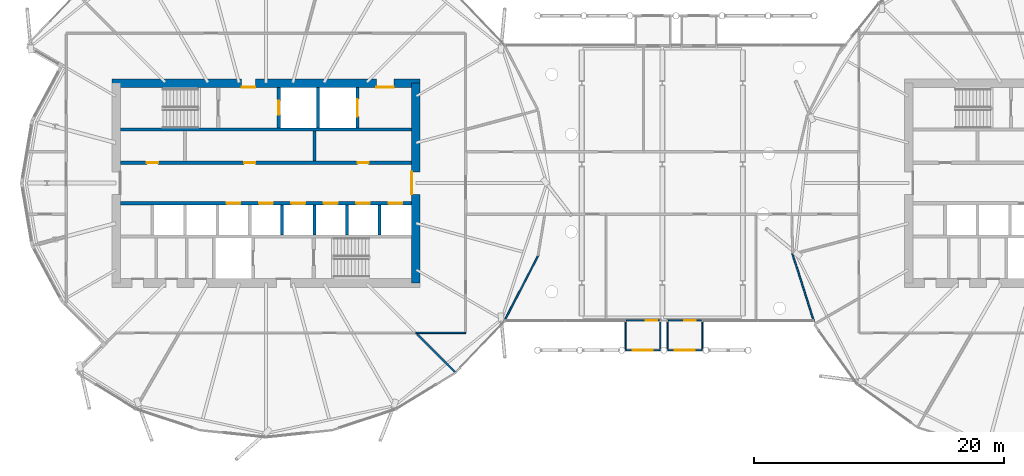
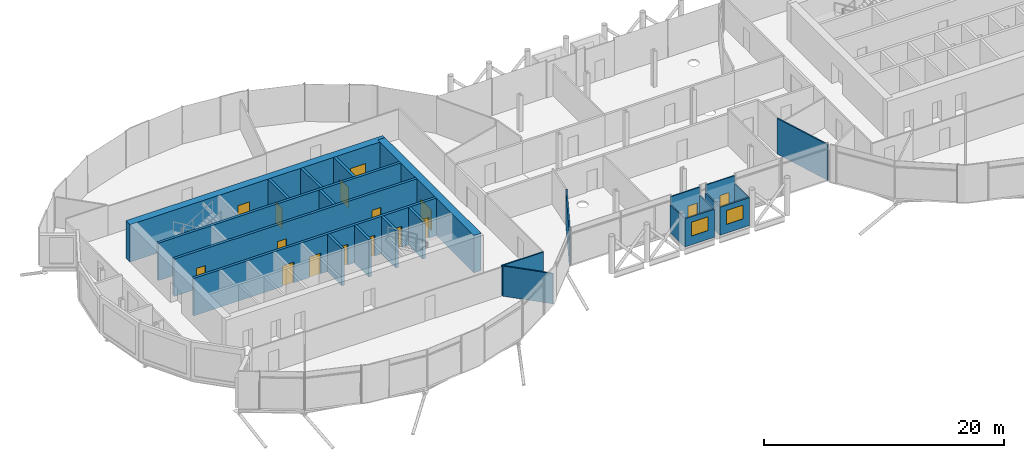
# One storey, part 24 of 39: 25 walls, 16 doors, 2 windows, 18 openings.
"""IFC4 building model written with IfcOpenShell, lengths in metres."""

from ifc_helpers import new_model, si_unit, direction, frame, frame_2d, origin, place, context, subcontext, project, spatial, rectangle, extrude, material, layer, layer_set, type_object, element, fill, save


model = new_model("IFC4")

# Units and contexts
model_context = context("Model", 3, precision=1e-05, world=origin(), true_north=direction((0.0, 1.0)))
body_context = subcontext(model_context, "Body", "Model", "MODEL_VIEW")
ifc_project = project(units=[si_unit("LENGTHUNIT", "METRE"), si_unit("AREAUNIT", "SQUARE_METRE"), si_unit("VOLUMEUNIT", "CUBIC_METRE"), si_unit("PLANEANGLEUNIT", "RADIAN"), si_unit("MASSUNIT", "GRAM", prefix="KILO")], contexts=[model_context])

# Site, building, storey
site_placement = place(None, origin())
site = spatial("IfcSite", under=ifc_project, at=site_placement, CompositionType="ELEMENT")
building_placement = place(site_placement, origin())
building = spatial("IfcBuilding", under=site, at=building_placement, Name="Rimbun Link Towers", CompositionType="ELEMENT")
storey_placement = place(building_placement, frame((0.0, 0.0, 139.199951171875)))
storey = spatial("IfcBuildingStorey", under=building, at=storey_placement, Name="L33", CompositionType="ELEMENT", Elevation=139.199951171875)

# Wall
ifc_material_1 = material(Name="Terracotta-faced insulated sandwich panel", Category="masonry")
ifc_layer_1 = layer(ifc_material_1, 0.10009765625)
ifc_layer_set_1 = layer_set([ifc_layer_1], Name="CAPSULE shell panel 100")
wall_type_1 = type_object("IfcWallType", Name="CAPSULE shell panel 100", PredefinedType="STANDARD", material=ifc_layer_set_1)
wall_1_placement = place(storey_placement, frame((-2.95556640625, -11.0, -0.06005859375), z_axis=(0.0, 0.0, 1.0), x_axis=(0.0, -1.0, 0.0)))
element("IfcWall", 1, at=wall_1_placement, inside=storey, type_object=wall_type_1, Name="CAPSULE F33.11 shell panel 1", PredefinedType="STANDARD", context=body_context, shape_type="SweptSolid", body=[
    extrude(rectangle(XDim=2.39990234375, YDim=0.10009765625, at=frame_2d((1.199951171875, 0.0))), origin(), (0.0, 0.0, 1.0), 2.85009765625),
])

# Wall, opening, window
wall_2_placement = place(storey_placement, frame((-2.95556640625, -13.39990234375, -0.06005859375), z_axis=(0.0, 0.0, 1.0), x_axis=(1.0, 0.0, 0.0)))
wall_2 = element("IfcWall", 2, at=wall_2_placement, inside=storey, type_object=wall_type_1, Name="CAPSULE F33.11 shell panel 2", PredefinedType="STANDARD", context=body_context, shape_type="SweptSolid", body=[
    extrude(rectangle(XDim=2.7998046875, YDim=0.10009765625, at=frame_2d((1.39990234375, 0.0))), origin(), (0.0, 0.0, 1.0), 2.85009765625),
])
opening_1_placement = place(wall_2_placement, frame((0.60009765625, 0.0, 0.89990234375)))
opening_1 = element("IfcOpeningElement", 3, at=opening_1_placement, cuts=wall_2, Name="Opening CN33.11", PredefinedType="OPENING", context=body_context, shape_type="SweptSolid", body=[
    extrude(rectangle(XDim=1.60009765625, YDim=1.39990234375, at=frame_2d((0.800048828125, 0.699951171875))), frame((0.0, 0.06005859375, 0.0), z_axis=(0.0, -1.0, 0.0), x_axis=(1.0, 0.0, 0.0)), (0.0, 0.0, 1.0), 0.1201171875),
])
ifc_material_2 = material(Name="Aluminium framed window, low-iron glass", Category="aluminium")
window_type = type_object("IfcWindowType", Name="CAPSULE window 1600X1400", PartitioningType="SINGLE_PANEL", PredefinedType="WINDOW", material=ifc_material_2)
window_1_placement = place(opening_1_placement, origin())
window_1 = element("IfcWindow", 4, at=window_1_placement, inside=storey, type_object=window_type, Name="CAPSULE F33.11 window", OverallHeight=1.39990234375, OverallWidth=1.60009765625, PartitioningType="SINGLE_PANEL", PredefinedType="WINDOW", context=body_context, shape_type="SweptSolid", body=[
    extrude(rectangle(XDim=1.60009765625, YDim=1.39990234375, at=frame_2d((0.800048828125, 0.699951171875))), frame((0.0, 0.030029296875, 0.0), z_axis=(0.0, -1.0, 0.0), x_axis=(1.0, 0.0, 0.0)), (0.0, 0.0, 1.0), 0.06005859375),
])
fill(opening_1, window_1)

# Wall
wall_3_placement = place(storey_placement, frame((-0.15576171875, -13.39990234375, -0.06005859375), z_axis=(0.0, 0.0, 1.0), x_axis=(0.0, 1.0, 0.0)))
element("IfcWall", 5, at=wall_3_placement, inside=storey, type_object=wall_type_1, Name="CAPSULE F33.11 shell panel 3", PredefinedType="STANDARD", context=body_context, shape_type="SweptSolid", body=[
    extrude(rectangle(XDim=2.39990234375, YDim=0.10009765625, at=frame_2d((1.199951171875, 0.0))), origin(), (0.0, 0.0, 1.0), 2.85009765625),
])

# Wall, opening, door
wall_4_placement = place(storey_placement, frame((-0.15576171875, -11.0, -0.06005859375), z_axis=(0.0, 0.0, 1.0), x_axis=(-1.0, 0.0, 0.0)))
wall_4 = element("IfcWall", 6, at=wall_4_placement, inside=storey, type_object=wall_type_1, Name="CAPSULE F33.11 shell panel 4", PredefinedType="STANDARD", context=body_context, shape_type="SweptSolid", body=[
    extrude(rectangle(XDim=2.7998046875, YDim=0.10009765625, at=frame_2d((1.39990234375, 0.0))), origin(), (0.0, 0.0, 1.0), 3.64013671875),
])
opening_2_placement = place(wall_4_placement, frame((0.25, 0.0, 0.0)))
opening_2 = element("IfcOpeningElement", 7, at=opening_2_placement, cuts=wall_4, Name="Opening CD33.11", PredefinedType="OPENING", context=body_context, shape_type="SweptSolid", body=[
    extrude(rectangle(XDim=0.89990234375, YDim=2.10009765625, at=frame_2d((0.449951171875, 1.050048828125))), frame((0.0, 0.06005859375, 0.0), z_axis=(0.0, -1.0, 0.0), x_axis=(1.0, 0.0, 0.0)), (0.0, 0.0, 1.0), 0.1201171875),
])
ifc_material_3 = material(Name="Aluminium framed insulated door leaf", Category="aluminium")
door_type_1 = type_object("IfcDoorType", Name="CAPSULE door single leaf 900X2100", OperationType="SINGLE_SWING_LEFT", PredefinedType="DOOR", material=ifc_material_3)
door_1_placement = place(opening_2_placement, origin())
door_1 = element("IfcDoor", 8, at=door_1_placement, inside=storey, type_object=door_type_1, Name="CAPSULE F33.11 door", OperationType="SINGLE_SWING_RIGHT", OverallHeight=2.10009765625, OverallWidth=0.89990234375, PredefinedType="DOOR", context=body_context, shape_type="SweptSolid", body=[
    extrude(rectangle(XDim=0.89990234375, YDim=2.10009765625, at=frame_2d((0.449951171875, 1.050048828125))), frame((0.0, 0.02490234375, 0.0), z_axis=(0.0, -1.0, 0.0), x_axis=(1.0, 0.0, 0.0)), (0.0, 0.0, 1.0), 0.050048828125),
])
fill(opening_2, door_1)

# Wall
wall_5_placement = place(storey_placement, frame((0.413330078125, -11.0, -0.06005859375), z_axis=(0.0, 0.0, 1.0), x_axis=(0.0, -1.0, 0.0)))
element("IfcWall", 9, at=wall_5_placement, inside=storey, type_object=wall_type_1, Name="CAPSULE F33.12 shell panel 1", PredefinedType="STANDARD", context=body_context, shape_type="SweptSolid", body=[
    extrude(rectangle(XDim=2.39990234375, YDim=0.10009765625, at=frame_2d((1.199951171875, 0.0))), origin(), (0.0, 0.0, 1.0), 2.85009765625),
])

# Wall, opening, window
wall_6_placement = place(storey_placement, frame((0.413330078125, -13.39990234375, -0.06005859375), z_axis=(0.0, 0.0, 1.0), x_axis=(1.0, 0.0, 0.0)))
wall_6 = element("IfcWall", 10, at=wall_6_placement, inside=storey, type_object=wall_type_1, Name="CAPSULE F33.12 shell panel 2", PredefinedType="STANDARD", context=body_context, shape_type="SweptSolid", body=[
    extrude(rectangle(XDim=2.800048828125, YDim=0.10009765625, at=frame_2d((1.39990234375, 0.0))), origin(), (0.0, 0.0, 1.0), 2.85009765625),
])
opening_3_placement = place(wall_6_placement, frame((0.60009765625, 0.0, 0.89990234375)))
opening_3 = element("IfcOpeningElement", 11, at=opening_3_placement, cuts=wall_6, Name="Opening CN33.12", PredefinedType="OPENING", context=body_context, shape_type="SweptSolid", body=[
    extrude(rectangle(XDim=1.60009765625, YDim=1.39990234375, at=frame_2d((0.800048828125, 0.699951171875))), frame((0.0, 0.06005859375, 0.0), z_axis=(0.0, -1.0, 0.0), x_axis=(1.0, 0.0, 0.0)), (0.0, 0.0, 1.0), 0.1201171875),
])
window_2_placement = place(opening_3_placement, origin())
window_2 = element("IfcWindow", 12, at=window_2_placement, inside=storey, type_object=window_type, Name="CAPSULE F33.12 window", OverallHeight=1.39990234375, OverallWidth=1.60009765625, PartitioningType="SINGLE_PANEL", PredefinedType="WINDOW", context=body_context, shape_type="SweptSolid", body=[
    extrude(rectangle(XDim=1.60009765625, YDim=1.39990234375, at=frame_2d((0.800048828125, 0.699951171875))), frame((0.0, 0.030029296875, 0.0), z_axis=(0.0, -1.0, 0.0), x_axis=(1.0, 0.0, 0.0)), (0.0, 0.0, 1.0), 0.06005859375),
])
fill(opening_3, window_2)

# Wall
wall_7_placement = place(storey_placement, frame((3.21337890625, -13.39990234375, -0.06005859375), z_axis=(0.0, 0.0, 1.0), x_axis=(0.0, 1.0, 0.0)))
element("IfcWall", 13, at=wall_7_placement, inside=storey, type_object=wall_type_1, Name="CAPSULE F33.12 shell panel 3", PredefinedType="STANDARD", context=body_context, shape_type="SweptSolid", body=[
    extrude(rectangle(XDim=2.39990234375, YDim=0.10009765625, at=frame_2d((1.199951171875, 0.0))), origin(), (0.0, 0.0, 1.0), 2.85009765625),
])

# Wall, opening, door
wall_8_placement = place(storey_placement, frame((3.21337890625, -11.0, -0.06005859375), z_axis=(0.0, 0.0, 1.0), x_axis=(-1.0, 0.0, 0.0)))
wall_8 = element("IfcWall", 14, at=wall_8_placement, inside=storey, type_object=wall_type_1, Name="CAPSULE F33.12 shell panel 4", PredefinedType="STANDARD", context=body_context, shape_type="SweptSolid", body=[
    extrude(rectangle(XDim=2.800048828125, YDim=0.10009765625, at=frame_2d((1.39990234375, 0.0))), origin(), (0.0, 0.0, 1.0), 3.64013671875),
])
opening_4_placement = place(wall_8_placement, frame((0.550048828125, 0.0, 0.0)))
opening_4 = element("IfcOpeningElement", 15, at=opening_4_placement, cuts=wall_8, Name="Opening CD33.12", PredefinedType="OPENING", context=body_context, shape_type="SweptSolid", body=[
    extrude(rectangle(XDim=0.89990234375, YDim=2.10009765625, at=frame_2d((0.449951171875, 1.050048828125))), frame((0.0, 0.06005859375, 0.0), z_axis=(0.0, -1.0, 0.0), x_axis=(1.0, 0.0, 0.0)), (0.0, 0.0, 1.0), 0.1201171875),
])
door_2_placement = place(opening_4_placement, origin())
door_2 = element("IfcDoor", 16, at=door_2_placement, inside=storey, type_object=door_type_1, Name="CAPSULE F33.12 door", OperationType="SINGLE_SWING_LEFT", OverallHeight=2.10009765625, OverallWidth=0.89990234375, PredefinedType="DOOR", context=body_context, shape_type="SweptSolid", body=[
    extrude(rectangle(XDim=0.89990234375, YDim=2.10009765625, at=frame_2d((0.449951171875, 1.050048828125))), frame((0.0, 0.02490234375, 0.0), z_axis=(0.0, -1.0, 0.0), x_axis=(1.0, 0.0, 0.0)), (0.0, 0.0, 1.0), 0.050048828125),
])
fill(opening_4, door_2)

# Wall, openings, doors
ifc_material_4 = material(Name="Concrete C60/75", Category="concrete")
ifc_layer_2 = layer(ifc_material_4, 0.699951171875)
ifc_layer_set_2 = layer_set([ifc_layer_2], Name="Core shear wall 700")
wall_type_2 = type_object("IfcWallType", Name="Core shear wall 700", PredefinedType="SHEAR", material=ifc_layer_set_2)
wall_9_placement = place(storey_placement, frame((-44.10009765625, 8.0, 0.0), z_axis=(0.0, 0.0, 1.0), x_axis=(1.0, 0.0, 0.0)))
wall_9 = element("IfcWall", 17, at=wall_9_placement, inside=storey, type_object=wall_type_2, Name="L33 T1 core wall N", PredefinedType="SHEAR", context=body_context, shape_type="SweptSolid", body=[
    extrude(rectangle(XDim=24.7001953125, YDim=0.699951171875, at=frame_2d((12.35009765625, 0.0))), origin(), (0.0, 0.0, 1.0), 3.800048828125),
])
opening_5_placement = place(wall_9_placement, frame((10.39990234375, 0.0, 0.0)))
opening_5 = element("IfcOpeningElement", 18, at=opening_5_placement, cuts=wall_9, Name="Opening C1DCF01N", PredefinedType="OPENING", context=body_context, shape_type="SweptSolid", body=[
    extrude(rectangle(XDim=1.10009765625, YDim=2.10009765625, at=frame_2d((0.550048828125, 1.050048828125))), frame((0.0, 0.35986328125, 0.0), z_axis=(0.0, -1.0, 0.0), x_axis=(1.0, 0.0, 0.0)), (0.0, 0.0, 1.0), 0.719970703125),
])
opening_6_placement = place(wall_9_placement, frame((21.199951171875, 0.0, 0.0)))
opening_6 = element("IfcOpeningElement", 19, at=opening_6_placement, cuts=wall_9, Name="Opening C1DSL02N", PredefinedType="OPENING", context=body_context, shape_type="SweptSolid", body=[
    extrude(rectangle(XDim=1.39990234375, YDim=2.10009765625, at=frame_2d((0.699951171875, 1.050048828125))), frame((0.0, 0.35986328125, 0.0), z_axis=(0.0, -1.0, 0.0), x_axis=(1.0, 0.0, 0.0)), (0.0, 0.0, 1.0), 0.719970703125),
])
ifc_material_5 = material(Name="Steel fire door set", Category="steel")
door_type_2 = type_object("IfcDoorType", Name="Core fire door single", OperationType="SINGLE_SWING_LEFT", PredefinedType="DOOR", material=ifc_material_5)
door_3_placement = place(opening_5_placement, origin())
door_3 = element("IfcDoor", 20, at=door_3_placement, inside=storey, type_object=door_type_2, Name="L33 T1 firefighting lobby n door", OperationType="SINGLE_SWING_RIGHT", OverallHeight=2.10009765625, OverallWidth=1.10009765625, PredefinedType="DOOR", context=body_context, shape_type="SweptSolid", body=[
    extrude(rectangle(XDim=1.10009765625, YDim=2.10009765625, at=frame_2d((0.550048828125, 1.050048828125))), frame((0.0, -0.2998046875, 0.0), z_axis=(0.0, -1.0, 0.0), x_axis=(1.0, 0.0, 0.0)), (0.0, 0.0, 1.0), 0.050048828125),
])
fill(opening_5, door_3)
ifc_material_6 = material(Name="Steel fire door set", Category="steel")
door_type_3 = type_object("IfcDoorType", Name="Service lobby door double", OperationType="DOUBLE_DOOR_SINGLE_SWING", PredefinedType="DOOR", material=ifc_material_6)
door_4_placement = place(opening_6_placement, origin())
door_4 = element("IfcDoor", 21, at=door_4_placement, inside=storey, type_object=door_type_3, Name="L33 T1 service lobby door", OperationType="DOUBLE_DOOR_SINGLE_SWING", OverallHeight=2.10009765625, OverallWidth=1.39990234375, PredefinedType="DOOR", context=body_context, shape_type="SweptSolid", body=[
    extrude(rectangle(XDim=1.39990234375, YDim=2.10009765625, at=frame_2d((0.699951171875, 1.050048828125))), frame((0.0, -0.2998046875, 0.0), z_axis=(0.0, -1.0, 0.0), x_axis=(1.0, 0.0, 0.0)), (0.0, 0.0, 1.0), 0.050048828125),
])
fill(opening_6, door_4)

# Wall, opening, door
wall_10_placement = place(storey_placement, frame((-19.75, -8.0, 0.0), z_axis=(0.0, 0.0, 1.0), x_axis=(0.0, 1.0, 0.0)))
wall_10 = element("IfcWall", 22, at=wall_10_placement, inside=storey, type_object=wall_type_2, Name="L33 T1 core wall E", PredefinedType="SHEAR", context=body_context, shape_type="SweptSolid", body=[
    extrude(rectangle(XDim=16.0, YDim=0.699951171875, at=frame_2d((8.0, 0.0))), origin(), (0.0, 0.0, 1.0), 3.800048828125),
])
opening_7_placement = place(wall_10_placement, frame((7.10009765625, 0.0, 0.0)))
opening_7 = element("IfcOpeningElement", 23, at=opening_7_placement, cuts=wall_10, Name="Opening C1DCL01E", PredefinedType="OPENING", context=body_context, shape_type="SweptSolid", body=[
    extrude(rectangle(XDim=1.800048828125, YDim=2.10009765625, at=frame_2d((0.89990234375, 1.050048828125))), frame((0.0, 0.35986328125, 0.0), z_axis=(0.0, -1.0, 0.0), x_axis=(1.0, 0.0, 0.0)), (0.0, 0.0, 1.0), 0.719970703125),
])
ifc_material_7 = material(Name="Steel fire door set", Category="steel")
door_type_4 = type_object("IfcDoorType", Name="Core lobby door double", OperationType="DOUBLE_DOOR_SINGLE_SWING", PredefinedType="DOOR", material=ifc_material_7)
door_5_placement = place(opening_7_placement, origin())
door_5 = element("IfcDoor", 24, at=door_5_placement, inside=storey, type_object=door_type_4, Name="L33 T1 lift lobby door", OperationType="DOUBLE_DOOR_SINGLE_SWING", OverallHeight=2.10009765625, OverallWidth=1.800048828125, PredefinedType="DOOR", context=body_context, shape_type="SweptSolid", body=[
    extrude(rectangle(XDim=1.800048828125, YDim=2.10009765625, at=frame_2d((0.89990234375, 1.050048828125))), frame((0.0, 0.35009765625, 0.0), z_axis=(0.0, -1.0, 0.0), x_axis=(1.0, 0.0, 0.0)), (0.0, 0.0, 1.0), 0.050048828125),
])
fill(opening_7, door_5)

# Walls
ifc_material_8 = material(Name="Gypsum board on steel studs", Category="steel")
ifc_layer_3 = layer(ifc_material_8, 0.125)
ifc_layer_set_3 = layer_set([ifc_layer_3], Name="Partition 125 board on studs")
wall_type_3 = type_object("IfcWallType", Name="Partition 125 board on studs", PredefinedType="PARTITIONING", material=ifc_layer_set_3)
wall_11_placement = place(storey_placement, frame((-19.75, -12.0, 0.0), z_axis=(0.0, 0.0, 1.0), x_axis=(1.0, 0.0, 0.0)))
element("IfcWall", 25, at=wall_11_placement, inside=storey, type_object=wall_type_3, Name="TW/PW/L33/013", PredefinedType="PARTITIONING", context=body_context, shape_type="SweptSolid", body=[
    extrude(rectangle(XDim=4.0, YDim=0.125, at=frame_2d((2.0, 0.0))), origin(), (0.0, 0.0, 1.0), 3.067138671875),
])
wall_12_placement = place(storey_placement, frame((-16.595703125, -15.154296875, 0.0), z_axis=(0.0, 0.0, 1.0), x_axis=(-0.707106781187, 0.707106781187, 0.0)))
element("IfcWall", 26, at=wall_12_placement, inside=storey, type_object=wall_type_3, Name="TW/PW/L33/027", PredefinedType="PARTITIONING", context=body_context, shape_type="SweptSolid", body=[
    extrude(rectangle(XDim=4.31005859375, YDim=0.125, at=frame_2d((2.155029296875, 0.0))), origin(), (0.0, 0.0, 1.0), 3.067138671875),
])
wall_13_placement = place(storey_placement, frame((-12.663818359375, -11.071044921875, 0.0), z_axis=(0.0, 0.0, 1.0), x_axis=(0.459568637938, 0.888142256074, 0.0)))
element("IfcWall", 27, at=wall_13_placement, inside=storey, type_object=wall_type_3, Name="TW/PW/L33/030", PredefinedType="PARTITIONING", context=body_context, shape_type="SweptSolid", body=[
    extrude(rectangle(XDim=5.970703125, YDim=0.125, at=frame_2d((2.9853515625, 0.0))), origin(), (0.0, 0.0, 1.0), 3.6201171875),
])
wall_14_placement = place(storey_placement, frame((10.414794921875, -5.634033203125, 0.0), z_axis=(0.0, 0.0, 1.0), x_axis=(0.303064250976, -0.952970125335, 0.0)))
element("IfcWall", 28, at=wall_14_placement, inside=storey, type_object=wall_type_3, Name="TW/PW/L33/053", PredefinedType="PARTITIONING", context=body_context, shape_type="SweptSolid", body=[
    extrude(rectangle(XDim=5.710693359375, YDim=0.125, at=frame_2d((2.85546875, 0.0))), origin(), (0.0, 0.0, 1.0), 3.6201171875),
])
ifc_material_9 = material(Name="Concrete C60/75", Category="concrete")
ifc_layer_4 = layer(ifc_material_9, 0.25)
ifc_layer_set_4 = layer_set([ifc_layer_4], Name="Shaft wall 250")
wall_type_4 = type_object("IfcWallType", Name="Shaft wall 250", PredefinedType="SHEAR", material=ifc_layer_set_4)
wall_15_placement = place(storey_placement, frame((-43.39990234375, 4.27490234375, 0.0), z_axis=(0.0, 0.0, 1.0), x_axis=(1.0, 0.0, 0.0)))
element("IfcWall", 29, at=wall_15_placement, inside=storey, type_object=wall_type_4, Name="L33 T1 core wall BN", PredefinedType="SHEAR", context=body_context, shape_type="SweptSolid", body=[
    extrude(rectangle(XDim=23.2998046875, YDim=0.25, at=frame_2d((11.64990234375, 0.0))), origin(), (0.0, 0.0, 1.0), 3.800048828125),
])

# Wall, openings, doors
wall_16_placement = place(storey_placement, frame((-43.39990234375, 1.625, 0.0), z_axis=(0.0, 0.0, 1.0), x_axis=(1.0, 0.0, 0.0)))
wall_16 = element("IfcWall", 30, at=wall_16_placement, inside=storey, type_object=wall_type_4, Name="L33 T1 core wall FN", PredefinedType="SHEAR", context=body_context, shape_type="SweptSolid", body=[
    extrude(rectangle(XDim=23.2998046875, YDim=0.25, at=frame_2d((11.64990234375, 0.0))), origin(), (0.0, 0.0, 1.0), 3.800048828125),
])
opening_8_placement = place(wall_16_placement, frame((2.119384765625, 0.0, 0.0)))
opening_8 = element("IfcOpeningElement", 31, at=opening_8_placement, cuts=wall_16, Name="Opening C1DRS01FN", PredefinedType="OPENING", context=body_context, shape_type="SweptSolid", body=[
    extrude(rectangle(XDim=0.89990234375, YDim=2.10009765625, at=frame_2d((0.449951171875, 1.050048828125))), frame((0.0, 0.135009765625, 0.0), z_axis=(0.0, -1.0, 0.0), x_axis=(1.0, 0.0, 0.0)), (0.0, 0.0, 1.0), 0.27001953125),
])
opening_9_placement = place(wall_16_placement, frame((9.90283203125, 0.0, 0.0)))
opening_9 = element("IfcOpeningElement", 32, at=opening_9_placement, cuts=wall_16, Name="Opening C1DRS02FN", PredefinedType="OPENING", context=body_context, shape_type="SweptSolid", body=[
    extrude(rectangle(XDim=0.89990234375, YDim=2.10009765625, at=frame_2d((0.449951171875, 1.050048828125))), frame((0.0, 0.135009765625, 0.0), z_axis=(0.0, -1.0, 0.0), x_axis=(1.0, 0.0, 0.0)), (0.0, 0.0, 1.0), 0.27001953125),
])
opening_10_placement = place(wall_16_placement, frame((18.9833984375, 0.0, 0.0)))
opening_10 = element("IfcOpeningElement", 33, at=opening_10_placement, cuts=wall_16, Name="Opening C1DRS03FN", PredefinedType="OPENING", context=body_context, shape_type="SweptSolid", body=[
    extrude(rectangle(XDim=0.89990234375, YDim=2.10009765625, at=frame_2d((0.449951171875, 1.050048828125))), frame((0.0, 0.135009765625, 0.0), z_axis=(0.0, -1.0, 0.0), x_axis=(1.0, 0.0, 0.0)), (0.0, 0.0, 1.0), 0.27001953125),
])
ifc_material_10 = material(Name="Steel fire door set", Category="steel")
door_type_5 = type_object("IfcDoorType", Name="Core riser door", OperationType="SINGLE_SWING_LEFT", PredefinedType="DOOR", material=ifc_material_10)
door_6_placement = place(opening_8_placement, origin())
door_6 = element("IfcDoor", 34, at=door_6_placement, inside=storey, type_object=door_type_5, Name="L33 T1 print room door", OperationType="SINGLE_SWING_LEFT", OverallHeight=2.10009765625, OverallWidth=0.89990234375, PredefinedType="DOOR", context=body_context, shape_type="SweptSolid", body=[
    extrude(rectangle(XDim=0.89990234375, YDim=2.10009765625, at=frame_2d((0.449951171875, 1.050048828125))), frame((0.0, 0.02490234375, 0.0), z_axis=(0.0, -1.0, 0.0), x_axis=(1.0, 0.0, 0.0)), (0.0, 0.0, 1.0), 0.050048828125),
])
fill(opening_8, door_6)
door_7_placement = place(opening_9_placement, origin())
door_7 = element("IfcDoor", 35, at=door_7_placement, inside=storey, type_object=door_type_5, Name="L33 T1 services room door", OperationType="SINGLE_SWING_LEFT", OverallHeight=2.10009765625, OverallWidth=0.89990234375, PredefinedType="DOOR", context=body_context, shape_type="SweptSolid", body=[
    extrude(rectangle(XDim=0.89990234375, YDim=2.10009765625, at=frame_2d((0.449951171875, 1.050048828125))), frame((0.0, 0.02490234375, 0.0), z_axis=(0.0, -1.0, 0.0), x_axis=(1.0, 0.0, 0.0)), (0.0, 0.0, 1.0), 0.050048828125),
])
fill(opening_9, door_7)
door_8_placement = place(opening_10_placement, origin())
door_8 = element("IfcDoor", 36, at=door_8_placement, inside=storey, type_object=door_type_5, Name="L33 T1 records store door", OperationType="SINGLE_SWING_RIGHT", OverallHeight=2.10009765625, OverallWidth=0.89990234375, PredefinedType="DOOR", context=body_context, shape_type="SweptSolid", body=[
    extrude(rectangle(XDim=0.89990234375, YDim=2.10009765625, at=frame_2d((0.449951171875, 1.050048828125))), frame((0.0, 0.02490234375, 0.0), z_axis=(0.0, -1.0, 0.0), x_axis=(1.0, 0.0, 0.0)), (0.0, 0.0, 1.0), 0.050048828125),
])
fill(opening_10, door_8)

wall_17_placement = place(storey_placement, frame((-43.39990234375, -1.625, 0.0), z_axis=(0.0, 0.0, 1.0), x_axis=(1.0, 0.0, 0.0)))
wall_17 = element("IfcWall", 37, at=wall_17_placement, inside=storey, type_object=wall_type_4, Name="L33 T1 core wall FS", PredefinedType="SHEAR", context=body_context, shape_type="SweptSolid", body=[
    extrude(rectangle(XDim=23.2998046875, YDim=0.25, at=frame_2d((11.64990234375, 0.0))), origin(), (0.0, 0.0, 1.0), 3.800048828125),
])
opening_11_placement = place(wall_17_placement, frame((8.505615234375, 0.0, 0.0)))
opening_11 = element("IfcOpeningElement", 38, at=opening_11_placement, cuts=wall_17, Name="Opening LD-T1-HR1", PredefinedType="OPENING", context=body_context, shape_type="SweptSolid", body=[
    extrude(rectangle(XDim=1.10009765625, YDim=2.10009765625, at=frame_2d((0.550048828125, 1.050048828125))), frame((0.0, 0.135009765625, 0.0), z_axis=(0.0, -1.0, 0.0), x_axis=(1.0, 0.0, 0.0)), (0.0, 0.0, 1.0), 0.27001953125),
])
opening_12_placement = place(wall_17_placement, frame((11.10009765625, 0.0, 0.0)))
opening_12 = element("IfcOpeningElement", 39, at=opening_12_placement, cuts=wall_17, Name="Opening LD-T1-HR2", PredefinedType="OPENING", context=body_context, shape_type="SweptSolid", body=[
    extrude(rectangle(XDim=1.10009765625, YDim=2.10009765625, at=frame_2d((0.550048828125, 1.050048828125))), frame((0.0, 0.135009765625, 0.0), z_axis=(0.0, -1.0, 0.0), x_axis=(1.0, 0.0, 0.0)), (0.0, 0.0, 1.0), 0.27001953125),
])
opening_13_placement = place(wall_17_placement, frame((13.6943359375, 0.0, 0.0)))
opening_13 = element("IfcOpeningElement", 40, at=opening_13_placement, cuts=wall_17, Name="Opening LD-T1-HR3", PredefinedType="OPENING", context=body_context, shape_type="SweptSolid", body=[
    extrude(rectangle(XDim=1.10009765625, YDim=2.10009765625, at=frame_2d((0.550048828125, 1.050048828125))), frame((0.0, 0.135009765625, 0.0), z_axis=(0.0, -1.0, 0.0), x_axis=(1.0, 0.0, 0.0)), (0.0, 0.0, 1.0), 0.27001953125),
])
opening_14_placement = place(wall_17_placement, frame((16.288818359375, 0.0, 0.0)))
opening_14 = element("IfcOpeningElement", 41, at=opening_14_placement, cuts=wall_17, Name="Opening LD-T1-HR4", PredefinedType="OPENING", context=body_context, shape_type="SweptSolid", body=[
    extrude(rectangle(XDim=1.10009765625, YDim=2.10009765625, at=frame_2d((0.550048828125, 1.050048828125))), frame((0.0, 0.135009765625, 0.0), z_axis=(0.0, -1.0, 0.0), x_axis=(1.0, 0.0, 0.0)), (0.0, 0.0, 1.0), 0.27001953125),
])
opening_15_placement = place(wall_17_placement, frame((18.88330078125, 0.0, 0.0)))
opening_15 = element("IfcOpeningElement", 42, at=opening_15_placement, cuts=wall_17, Name="Opening LD-T1-HR5", PredefinedType="OPENING", context=body_context, shape_type="SweptSolid", body=[
    extrude(rectangle(XDim=1.10009765625, YDim=2.10009765625, at=frame_2d((0.550048828125, 1.050048828125))), frame((0.0, 0.135009765625, 0.0), z_axis=(0.0, -1.0, 0.0), x_axis=(1.0, 0.0, 0.0)), (0.0, 0.0, 1.0), 0.27001953125),
])
opening_16_placement = place(wall_17_placement, frame((21.477783203125, 0.0, 0.0)))
opening_16 = element("IfcOpeningElement", 43, at=opening_16_placement, cuts=wall_17, Name="Opening LD-T1-HR6", PredefinedType="OPENING", context=body_context, shape_type="SweptSolid", body=[
    extrude(rectangle(XDim=1.10009765625, YDim=2.10009765625, at=frame_2d((0.550048828125, 1.050048828125))), frame((0.0, 0.135009765625, 0.0), z_axis=(0.0, -1.0, 0.0), x_axis=(1.0, 0.0, 0.0)), (0.0, 0.0, 1.0), 0.27001953125),
])
ifc_material_11 = material(Name="Stainless steel grade 316", Category="steel")
door_type_6 = type_object("IfcDoorType", Name="Lift landing door", OperationType="DOUBLE_DOOR_SLIDING", PredefinedType="DOOR", material=ifc_material_11)
door_9_placement = place(opening_11_placement, origin())
door_9 = element("IfcDoor", 44, at=door_9_placement, inside=storey, type_object=door_type_6, Name="L33 T1 lift HR1 landing door", OperationType="DOUBLE_DOOR_SLIDING", OverallHeight=2.10009765625, OverallWidth=1.10009765625, PredefinedType="DOOR", context=body_context, shape_type="SweptSolid", body=[
    extrude(rectangle(XDim=1.10009765625, YDim=2.10009765625, at=frame_2d((0.550048828125, 1.050048828125))), frame((0.0, 0.02490234375, 0.0), z_axis=(0.0, -1.0, 0.0), x_axis=(1.0, 0.0, 0.0)), (0.0, 0.0, 1.0), 0.050048828125),
])
fill(opening_11, door_9)
door_10_placement = place(opening_12_placement, origin())
door_10 = element("IfcDoor", 45, at=door_10_placement, inside=storey, type_object=door_type_6, Name="L33 T1 lift HR2 landing door", OperationType="DOUBLE_DOOR_SLIDING", OverallHeight=2.10009765625, OverallWidth=1.10009765625, PredefinedType="DOOR", context=body_context, shape_type="SweptSolid", body=[
    extrude(rectangle(XDim=1.10009765625, YDim=2.10009765625, at=frame_2d((0.550048828125, 1.050048828125))), frame((0.0, 0.02490234375, 0.0), z_axis=(0.0, -1.0, 0.0), x_axis=(1.0, 0.0, 0.0)), (0.0, 0.0, 1.0), 0.050048828125),
])
fill(opening_12, door_10)
door_11_placement = place(opening_13_placement, origin())
door_11 = element("IfcDoor", 46, at=door_11_placement, inside=storey, type_object=door_type_6, Name="L33 T1 lift HR3 landing door", OperationType="DOUBLE_DOOR_SLIDING", OverallHeight=2.10009765625, OverallWidth=1.10009765625, PredefinedType="DOOR", context=body_context, shape_type="SweptSolid", body=[
    extrude(rectangle(XDim=1.10009765625, YDim=2.10009765625, at=frame_2d((0.550048828125, 1.050048828125))), frame((0.0, 0.02490234375, 0.0), z_axis=(0.0, -1.0, 0.0), x_axis=(1.0, 0.0, 0.0)), (0.0, 0.0, 1.0), 0.050048828125),
])
fill(opening_13, door_11)
door_12_placement = place(opening_14_placement, origin())
door_12 = element("IfcDoor", 47, at=door_12_placement, inside=storey, type_object=door_type_6, Name="L33 T1 lift HR4 landing door", OperationType="DOUBLE_DOOR_SLIDING", OverallHeight=2.10009765625, OverallWidth=1.10009765625, PredefinedType="DOOR", context=body_context, shape_type="SweptSolid", body=[
    extrude(rectangle(XDim=1.10009765625, YDim=2.10009765625, at=frame_2d((0.550048828125, 1.050048828125))), frame((0.0, 0.02490234375, 0.0), z_axis=(0.0, -1.0, 0.0), x_axis=(1.0, 0.0, 0.0)), (0.0, 0.0, 1.0), 0.050048828125),
])
fill(opening_14, door_12)
door_13_placement = place(opening_15_placement, origin())
door_13 = element("IfcDoor", 48, at=door_13_placement, inside=storey, type_object=door_type_6, Name="L33 T1 lift HR5 landing door", OperationType="DOUBLE_DOOR_SLIDING", OverallHeight=2.10009765625, OverallWidth=1.10009765625, PredefinedType="DOOR", context=body_context, shape_type="SweptSolid", body=[
    extrude(rectangle(XDim=1.10009765625, YDim=2.10009765625, at=frame_2d((0.550048828125, 1.050048828125))), frame((0.0, 0.02490234375, 0.0), z_axis=(0.0, -1.0, 0.0), x_axis=(1.0, 0.0, 0.0)), (0.0, 0.0, 1.0), 0.050048828125),
])
fill(opening_15, door_13)
door_14_placement = place(opening_16_placement, origin())
door_14 = element("IfcDoor", 49, at=door_14_placement, inside=storey, type_object=door_type_6, Name="L33 T1 lift HR6 landing door", OperationType="DOUBLE_DOOR_SLIDING", OverallHeight=2.10009765625, OverallWidth=1.10009765625, PredefinedType="DOOR", context=body_context, shape_type="SweptSolid", body=[
    extrude(rectangle(XDim=1.10009765625, YDim=2.10009765625, at=frame_2d((0.550048828125, 1.050048828125))), frame((0.0, 0.02490234375, 0.0), z_axis=(0.0, -1.0, 0.0), x_axis=(1.0, 0.0, 0.0)), (0.0, 0.0, 1.0), 0.050048828125),
])
fill(opening_16, door_14)

# Walls
for number, where, z_axis, x_axis, name in (
    (50, (-27.8583984375, 1.75, 0.0), (0.0, 0.0, 1.0), (0.0, 1.0, 0.0), "L33 T1 core wall DN5"),
    (51, (-30.452880859375, -4.14990234375, 0.0), (0.0, 0.0, 1.0), (0.0, 1.0, 0.0), "L33 T1 core wall DS4"),
    (52, (-27.8583984375, -4.14990234375, 0.0), (0.0, 0.0, 1.0), (0.0, 1.0, 0.0), "L33 T1 core wall DS5"),
    (53, (-25.263916015625, -4.14990234375, 0.0), (0.0, 0.0, 1.0), (0.0, 1.0, 0.0), "L33 T1 core wall DS6"),
    (54, (-22.66943359375, -4.14990234375, 0.0), (0.0, 0.0, 1.0), (0.0, 1.0, 0.0), "L33 T1 core wall DS7"),
):
    element("IfcWall", number, at=place(storey_placement, frame(where, z_axis=z_axis, x_axis=x_axis)), inside=storey, type_object=wall_type_4, Name=name, PredefinedType="SHEAR", context=body_context, shape_type="SweptSolid", body=[
        extrude(rectangle(XDim=2.39990234375, YDim=0.25, at=frame_2d((1.199951171875, 0.0))), origin(), (0.0, 0.0, 1.0), 3.800048828125),
    ])

# Wall, opening, door
wall_18_placement = place(storey_placement, frame((-30.72509765625, 4.39990234375, 0.0), z_axis=(0.0, 0.0, 1.0), x_axis=(0.0, 1.0, 0.0)))
wall_18 = element("IfcWall", 55, at=wall_18_placement, inside=storey, type_object=wall_type_4, Name="L33 T1 core wall A2", PredefinedType="SHEAR", context=body_context, shape_type="SweptSolid", body=[
    extrude(rectangle(XDim=3.25, YDim=0.25, at=frame_2d((1.625, 0.0))), origin(), (0.0, 0.0, 1.0), 3.800048828125),
])
opening_17_placement = place(wall_18_placement, frame((1.074951171875, 0.0, 0.0)))
opening_17 = element("IfcOpeningElement", 56, at=opening_17_placement, cuts=wall_18, Name="Opening LD-T1-FF1", PredefinedType="OPENING", context=body_context, shape_type="SweptSolid", body=[
    extrude(rectangle(XDim=1.10009765625, YDim=2.10009765625, at=frame_2d((0.550048828125, 1.050048828125))), frame((0.0, 0.135009765625, 0.0), z_axis=(0.0, -1.0, 0.0), x_axis=(1.0, 0.0, 0.0)), (0.0, 0.0, 1.0), 0.27001953125),
])
door_15_placement = place(opening_17_placement, origin())
door_15 = element("IfcDoor", 57, at=door_15_placement, inside=storey, type_object=door_type_6, Name="L33 T1 lift FF1 landing door", OperationType="DOUBLE_DOOR_SLIDING", OverallHeight=2.10009765625, OverallWidth=1.10009765625, PredefinedType="DOOR", context=body_context, shape_type="SweptSolid", body=[
    extrude(rectangle(XDim=1.10009765625, YDim=2.10009765625, at=frame_2d((0.550048828125, 1.050048828125))), frame((0.0, 0.02490234375, 0.0), z_axis=(0.0, -1.0, 0.0), x_axis=(1.0, 0.0, 0.0)), (0.0, 0.0, 1.0), 0.050048828125),
])
fill(opening_17, door_15)

# Wall
wall_19_placement = place(storey_placement, frame((-27.574951171875, 4.39990234375, 0.0), z_axis=(0.0, 0.0, 1.0), x_axis=(0.0, 1.0, 0.0)))
element("IfcWall", 58, at=wall_19_placement, inside=storey, type_object=wall_type_4, Name="L33 T1 core wall A3", PredefinedType="SHEAR", context=body_context, shape_type="SweptSolid", body=[
    extrude(rectangle(XDim=3.25, YDim=0.25, at=frame_2d((1.625, 0.0))), origin(), (0.0, 0.0, 1.0), 3.800048828125),
])

# Wall, opening, door
wall_20_placement = place(storey_placement, frame((-24.425048828125, 4.39990234375, 0.0), z_axis=(0.0, 0.0, 1.0), x_axis=(0.0, 1.0, 0.0)))
wall_20 = element("IfcWall", 59, at=wall_20_placement, inside=storey, type_object=wall_type_4, Name="L33 T1 core wall A4", PredefinedType="SHEAR", context=body_context, shape_type="SweptSolid", body=[
    extrude(rectangle(XDim=3.25, YDim=0.25, at=frame_2d((1.625, 0.0))), origin(), (0.0, 0.0, 1.0), 3.800048828125),
])
opening_18_placement = place(wall_20_placement, frame((0.925048828125, 0.0, 0.0)))
opening_18 = element("IfcOpeningElement", 60, at=opening_18_placement, cuts=wall_20, Name="Opening LD-T1-GL1", PredefinedType="OPENING", context=body_context, shape_type="SweptSolid", body=[
    extrude(rectangle(XDim=1.39990234375, YDim=2.10009765625, at=frame_2d((0.699951171875, 1.050048828125))), frame((0.0, 0.135009765625, 0.0), z_axis=(0.0, -1.0, 0.0), x_axis=(1.0, 0.0, 0.0)), (0.0, 0.0, 1.0), 0.27001953125),
])
ifc_material_12 = material(Name="Stainless steel grade 316", Category="steel")
door_type_7 = type_object("IfcDoorType", Name="Goods lift landing door", OperationType="DOUBLE_DOOR_SLIDING", PredefinedType="DOOR", material=ifc_material_12)
door_16_placement = place(opening_18_placement, origin())
door_16 = element("IfcDoor", 61, at=door_16_placement, inside=storey, type_object=door_type_7, Name="L33 T1 lift GL1 landing door", OperationType="DOUBLE_DOOR_SLIDING", OverallHeight=2.10009765625, OverallWidth=1.39990234375, PredefinedType="DOOR", context=body_context, shape_type="SweptSolid", body=[
    extrude(rectangle(XDim=1.39990234375, YDim=2.10009765625, at=frame_2d((0.699951171875, 1.050048828125))), frame((0.0, 0.02490234375, 0.0), z_axis=(0.0, -1.0, 0.0), x_axis=(1.0, 0.0, 0.0)), (0.0, 0.0, 1.0), 0.050048828125),
])
fill(opening_18, door_16)

save(model, "model.ifc")
